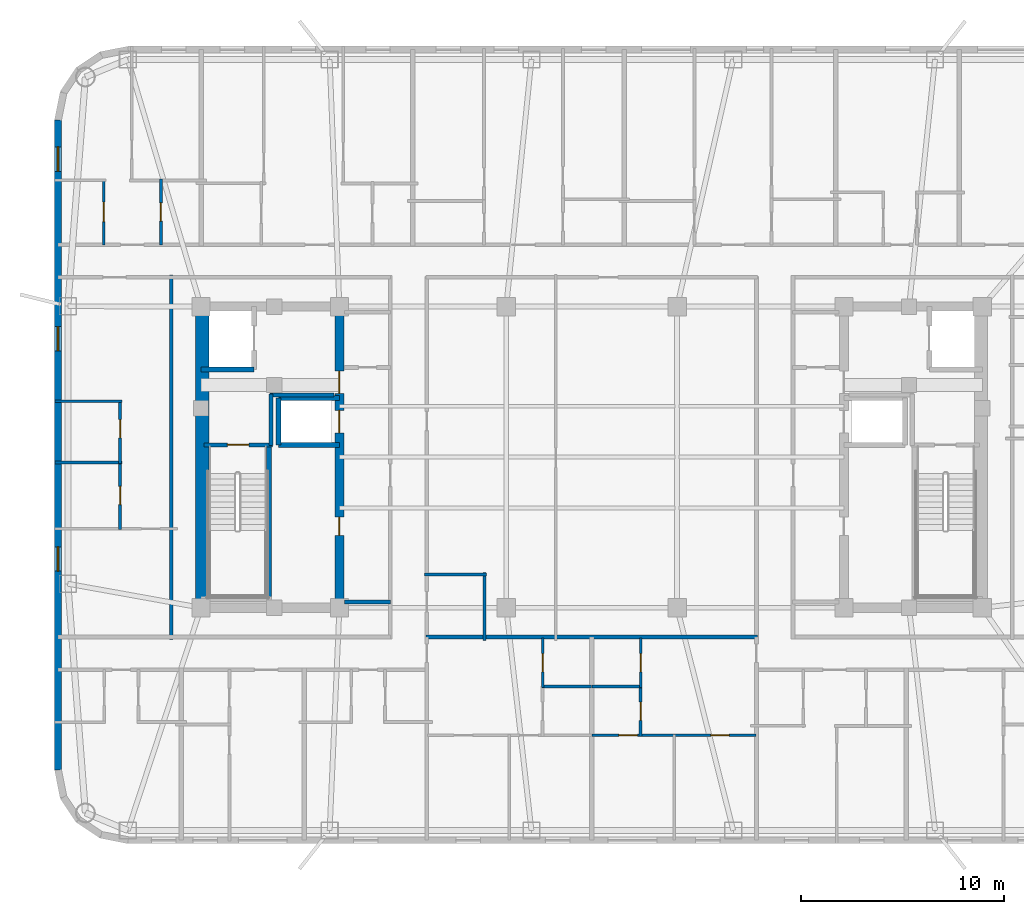
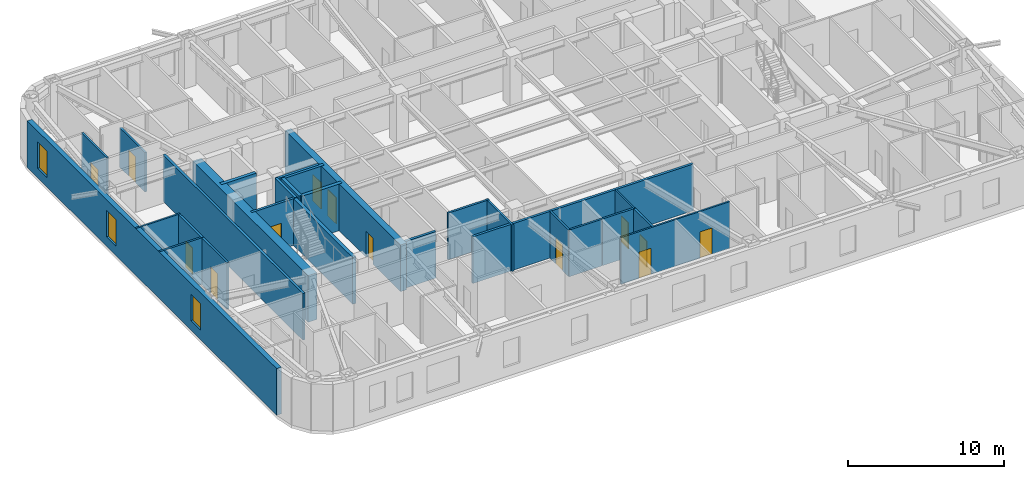
# One storey, part 4 of 11: 28 walls, 13 doors, 3 windows, 16 openings.
"""IFC4 building model written with IfcOpenShell, lengths in metres."""

from ifc_helpers import new_model, si_unit, direction, frame, frame_2d, origin, place, context, subcontext, project, spatial, rectangle, extrude, material, layer, layer_set, type_object, element, fill, save


model = new_model("IFC4")

# Units and contexts
model_context = context("Model", 3, precision=1e-05, world=origin(), true_north=direction((0.0, 1.0)))
body_context = subcontext(model_context, "Body", "Model", "MODEL_VIEW")
ifc_project = project(units=[si_unit("LENGTHUNIT", "METRE"), si_unit("AREAUNIT", "SQUARE_METRE"), si_unit("VOLUMEUNIT", "CUBIC_METRE"), si_unit("PLANEANGLEUNIT", "RADIAN"), si_unit("MASSUNIT", "GRAM", prefix="KILO")], contexts=[model_context])

# Site, building, storey
site_placement = place(None, origin())
site = spatial("IfcSite", under=ifc_project, at=site_placement, CompositionType="ELEMENT")
building_placement = place(site_placement, origin())
building = spatial("IfcBuilding", under=site, at=building_placement, Name="Voryun Gate Residences", CompositionType="ELEMENT")
storey_placement = place(building_placement, frame((0.0, 0.0, 227.5)))
storey = spatial("IfcBuildingStorey", under=building, at=storey_placement, Name="L56", CompositionType="ELEMENT", Elevation=227.5)

# Wall, openings, doors
ifc_material_1 = material(Name="Concrete C50/60", Category="concrete")
ifc_layer_1 = layer(ifc_material_1, 0.449951171875, Name="CW_CORE_450")
ifc_layer_set_1 = layer_set([ifc_layer_1], Name="Concrete C50/60")
wall_type_1 = type_object("IfcWallType", Name="CW_CORE_450", PredefinedType="SHEAR", material=ifc_layer_set_1)
wall_1_placement = place(storey_placement, frame((-12.39990234375, -7.39990234375, 0.0), z_axis=(0.0, 0.0, 1.0), x_axis=(0.0, 1.0, 0.0)))
wall_1 = element("IfcWall", 1, at=wall_1_placement, inside=storey, type_object=wall_type_1, Name="L56 Core shear wall CW-L56-WE", PredefinedType="SHEAR", context=body_context, shape_type="SweptSolid", body=[
    extrude(rectangle(XDim=14.7998046875, YDim=0.449951171875, at=frame_2d((7.39990234375, 0.0))), origin(), (0.0, 0.0, 1.0), 3.64990234375),
])
opening_1_placement = place(wall_1_placement, frame((8.60009765625, 0.0, 0.0)))
opening_1 = element("IfcOpeningElement", 2, at=opening_1_placement, cuts=wall_1, Name="Opening LD2", PredefinedType="OPENING", context=body_context, shape_type="SweptSolid", body=[
    extrude(rectangle(XDim=1.10009765625, YDim=2.050048828125, at=frame_2d((0.550048828125, 1.02490234375))), frame((0.0, 0.235107421875, 0.0), z_axis=(0.0, -1.0, 0.0), x_axis=(1.0, 0.0, 0.0)), (0.0, 0.0, 1.0), 0.469970703125),
])
opening_2_placement = place(wall_1_placement, frame((10.530029296875, 0.0, 0.0)))
opening_2 = element("IfcOpeningElement", 3, at=opening_2_placement, cuts=wall_1, Name="Opening D-FD60-2", PredefinedType="OPENING", context=body_context, shape_type="SweptSolid", body=[
    extrude(rectangle(XDim=1.10009765625, YDim=2.050048828125, at=frame_2d((0.550048828125, 1.02490234375))), frame((0.0, 0.235107421875, 0.0), z_axis=(0.0, -1.0, 0.0), x_axis=(1.0, 0.0, 0.0)), (0.0, 0.0, 1.0), 0.469970703125),
])
opening_3_placement = place(wall_1_placement, frame((3.550048828125, 0.0, 0.0)))
opening_3 = element("IfcOpeningElement", 4, at=opening_3_placement, cuts=wall_1, Name="Opening D-FD60-4", PredefinedType="OPENING", context=body_context, shape_type="SweptSolid", body=[
    extrude(rectangle(XDim=0.89990234375, YDim=2.050048828125, at=frame_2d((0.449951171875, 1.02490234375))), frame((0.0, 0.235107421875, 0.0), z_axis=(0.0, -1.0, 0.0), x_axis=(1.0, 0.0, 0.0)), (0.0, 0.0, 1.0), 0.469970703125),
])
ifc_material_2 = material(Name="Painted steel fire door", Category="steel")
door_type_1 = type_object("IfcDoorType", Name="DR_FD60_FFLOB_1100", OperationType="NOTDEFINED", PredefinedType="DOOR", material=ifc_material_2)
door_1_placement = place(opening_2_placement, origin())
door_1 = element("IfcDoor", 5, at=door_1_placement, inside=storey, type_object=door_type_1, Name="Door DR-L56-CLOB-W", OperationType="SINGLE_SWING_LEFT", OverallHeight=2.050048828125, OverallWidth=1.10009765625, PredefinedType="DOOR", context=body_context, shape_type="SweptSolid", body=[
    extrude(rectangle(XDim=1.10009765625, YDim=2.050048828125, at=frame_2d((0.550048828125, 1.02490234375))), frame((0.0, 0.02490234375, 0.0), z_axis=(0.0, -1.0, 0.0), x_axis=(1.0, 0.0, 0.0)), (0.0, 0.0, 1.0), 0.050048828125),
])
fill(opening_2, door_1)
ifc_material_3 = material(Name="Painted steel fire door", Category="steel")
door_type_2 = type_object("IfcDoorType", Name="DR_FD60_RISER_900", OperationType="NOTDEFINED", PredefinedType="DOOR", material=ifc_material_3)
door_2_placement = place(opening_3_placement, origin())
door_2 = element("IfcDoor", 6, at=door_2_placement, inside=storey, type_object=door_type_2, Name="Door DR-L56-RECW-HI", OperationType="SINGLE_SWING_LEFT", OverallHeight=2.050048828125, OverallWidth=0.89990234375, PredefinedType="DOOR", context=body_context, shape_type="SweptSolid", body=[
    extrude(rectangle(XDim=0.89990234375, YDim=2.050048828125, at=frame_2d((0.449951171875, 1.02490234375))), frame((0.0, 0.02490234375, 0.0), z_axis=(0.0, -1.0, 0.0), x_axis=(1.0, 0.0, 0.0)), (0.0, 0.0, 1.0), 0.050048828125),
])
fill(opening_3, door_2)
ifc_material_4 = material(Name="Anodised aluminium", Category="aluminium")
door_type_3 = type_object("IfcDoorType", Name="DR_LD_PASS_1100", OperationType="NOTDEFINED", PredefinedType="DOOR", material=ifc_material_4)
door_3_placement = place(opening_1_placement, origin())
door_3 = element("IfcDoor", 7, at=door_3_placement, inside=storey, type_object=door_type_3, Name="Lift EL-P7 sliding landing door L56", OperationType="SLIDING_TO_LEFT", OverallHeight=2.050048828125, OverallWidth=1.10009765625, PredefinedType="DOOR", context=body_context, shape_type="SweptSolid", body=[
    extrude(rectangle(XDim=1.10009765625, YDim=2.050048828125, at=frame_2d((0.550048828125, 1.02490234375))), frame((0.0, 0.02490234375, 0.0), z_axis=(0.0, -1.0, 0.0), x_axis=(1.0, 0.0, 0.0)), (0.0, 0.0, 1.0), 0.050048828125),
])
fill(opening_1, door_3)

# Wall
ifc_material_5 = material(Name="Concrete C60/75", Category="concrete")
ifc_layer_2 = layer(ifc_material_5, 0.64990234375, Name="CW_CORE_650")
ifc_layer_set_2 = layer_set([ifc_layer_2], Name="Concrete C60/75")
wall_type_2 = type_object("IfcWallType", Name="CW_CORE_650", PredefinedType="SHEAR", material=ifc_layer_set_2)
wall_2_placement = place(storey_placement, frame((-19.14501953125, -7.39990234375, 0.0), z_axis=(0.0, 0.0, 1.0), x_axis=(0.0, 1.0, 0.0)))
element("IfcWall", 8, at=wall_2_placement, inside=storey, type_object=wall_type_2, Name="L56 Core shear wall CW-L56-WW", PredefinedType="SHEAR", context=body_context, shape_type="SweptSolid", body=[
    extrude(rectangle(XDim=14.7998046875, YDim=0.64990234375, at=frame_2d((7.39990234375, 0.0))), origin(), (0.0, 0.0, 1.0), 3.64990234375),
])

# Wall, opening, door
ifc_material_6 = material(Name="Gypsum acoustic fireboard")
ifc_layer_3 = layer(ifc_material_6, 0.179931640625, Name="W_CORR_RATED_180")
ifc_layer_set_3 = layer_set([ifc_layer_3], Name="Gypsum acoustic fireboard")
wall_type_3 = type_object("IfcWallType", Name="W_CORR_RATED_180", PredefinedType="PARTITIONING", material=ifc_layer_set_3)
wall_3_placement = place(storey_placement, frame((-19.06005859375, 0.60009765625, 0.0), z_axis=(0.0, 0.0, 1.0), x_axis=(1.0, 0.0, 0.0)))
wall_3 = element("IfcWall", 9, at=wall_3_placement, inside=storey, type_object=wall_type_3, Name="Partition wall WP-L56-STV-W", PredefinedType="PARTITIONING", context=body_context, shape_type="SweptSolid", body=[
    extrude(rectangle(XDim=3.360107421875, YDim=0.179931640625, at=frame_2d((1.68017578125, 0.0))), origin(), (0.0, 0.0, 1.0), 3.64990234375),
])
opening_4_placement = place(wall_3_placement, frame((1.155029296875, 0.0, 0.0)))
opening_4 = element("IfcOpeningElement", 10, at=opening_4_placement, cuts=wall_3, Name="Opening D-FD60-1", PredefinedType="OPENING", context=body_context, shape_type="SweptSolid", body=[
    extrude(rectangle(XDim=1.050048828125, YDim=2.050048828125, at=frame_2d((0.52490234375, 1.02490234375))), frame((0.0, 0.099853515625, 0.0), z_axis=(0.0, -1.0, 0.0), x_axis=(1.0, 0.0, 0.0)), (0.0, 0.0, 1.0), 0.199951171875),
])
ifc_material_7 = material(Name="Painted steel fire door", Category="steel")
door_type_4 = type_object("IfcDoorType", Name="DR_FD60_STAIR_1050", OperationType="NOTDEFINED", PredefinedType="DOOR", material=ifc_material_7)
door_4_placement = place(opening_4_placement, origin())
door_4 = element("IfcDoor", 11, at=door_4_placement, inside=storey, type_object=door_type_4, Name="Door DR-L56-ST-W", OperationType="SINGLE_SWING_LEFT", OverallHeight=2.050048828125, OverallWidth=1.050048828125, PredefinedType="DOOR", context=body_context, shape_type="SweptSolid", body=[
    extrude(rectangle(XDim=1.050048828125, YDim=2.050048828125, at=frame_2d((0.52490234375, 1.02490234375))), frame((0.0, 0.02490234375, 0.0), z_axis=(0.0, -1.0, 0.0), x_axis=(1.0, 0.0, 0.0)), (0.0, 0.0, 1.0), 0.050048828125),
])
fill(opening_4, door_4)

# Walls
wall_4_placement = place(storey_placement, frame((-12.14990234375, -7.1201171875, 0.0), z_axis=(0.0, 0.0, 1.0), x_axis=(1.0, 0.0, 0.0)))
element("IfcWall", 12, at=wall_4_placement, inside=storey, type_object=wall_type_3, Name="Partition wall WP-L56-PLBS-W", PredefinedType="PARTITIONING", context=body_context, shape_type="SweptSolid", body=[
    extrude(rectangle(XDim=2.27001953125, YDim=0.179931640625, at=frame_2d((1.135009765625, 0.0))), origin(), (0.0, 0.0, 1.0), 3.64990234375),
])
wall_5_placement = place(storey_placement, frame((-8.14990234375, -8.840087890625, 0.0), z_axis=(0.0, 0.0, 1.0), x_axis=(1.0, 0.0, 0.0)))
element("IfcWall", 13, at=wall_5_placement, inside=storey, type_object=wall_type_3, Name="Partition wall WP-L56-Z3S", PredefinedType="PARTITIONING", context=body_context, shape_type="SweptSolid", body=[
    extrude(rectangle(XDim=16.2998046875, YDim=0.179931640625, at=frame_2d((8.14990234375, 0.0))), origin(), (0.0, 0.0, 1.0), 3.64990234375),
])
wall_6_placement = place(storey_placement, frame((-20.669921875, -8.9599609375, 0.0), z_axis=(0.0, 0.0, 1.0), x_axis=(0.0, 1.0, 0.0)))
element("IfcWall", 14, at=wall_6_placement, inside=storey, type_object=wall_type_3, Name="Partition wall WP-L56-WCOR", PredefinedType="PARTITIONING", context=body_context, shape_type="SweptSolid", body=[
    extrude(rectangle(XDim=17.919921875, YDim=0.179931640625, at=frame_2d((8.9599609375, 0.0))), origin(), (0.0, 0.0, 1.0), 3.64990234375),
])

# Wall, openings, windows
ifc_material_8 = material(Name="Charcoal terracotta masonry", Category="masonry")
ifc_layer_4 = layer(ifc_material_8, 0.340087890625, Name="W_EXT_TERRACOTTA_340")
ifc_layer_set_4 = layer_set([ifc_layer_4], Name="Charcoal terracotta masonry")
wall_type_4 = type_object("IfcWallType", Name="W_EXT_TERRACOTTA_340", PredefinedType="ELEMENTEDWALL", material=ifc_layer_set_4)
wall_7_placement = place(storey_placement, frame((-26.22998046875, -15.38330078125, 0.0), z_axis=(0.0, 0.0, 1.0), x_axis=(0.0, 1.0, 0.0)))
wall_7 = element("IfcWall", 15, at=wall_7_placement, inside=storey, type_object=wall_type_4, Name="Exterior wall WEXT-L56-06", PredefinedType="ELEMENTEDWALL", context=body_context, shape_type="SweptSolid", body=[
    extrude(rectangle(XDim=31.966552734375, YDim=0.340087890625, at=frame_2d((15.9833984375, 0.0))), origin(), (0.0, 0.0, 1.0), 3.64990234375),
])
opening_5_placement = place(wall_7_placement, frame((29.431396484375, 0.0, 0.75)))
opening_5 = element("IfcOpeningElement", 16, at=opening_5_placement, cuts=wall_7, Name="Opening WN6", PredefinedType="OPENING", context=body_context, shape_type="SweptSolid", body=[
    extrude(rectangle(XDim=1.199951171875, YDim=2.050048828125, at=frame_2d((0.60009765625, 1.02490234375))), frame((0.0, 0.179931640625, 0.0), z_axis=(0.0, -1.0, 0.0), x_axis=(1.0, 0.0, 0.0)), (0.0, 0.0, 1.0), 0.360107421875),
])
opening_6_placement = place(wall_7_placement, frame((20.603271484375, 0.0, 0.75)))
opening_6 = element("IfcOpeningElement", 17, at=opening_6_placement, cuts=wall_7, Name="Opening WN6", PredefinedType="OPENING", context=body_context, shape_type="SweptSolid", body=[
    extrude(rectangle(XDim=1.199951171875, YDim=2.050048828125, at=frame_2d((0.60009765625, 1.02490234375))), frame((0.0, 0.179931640625, 0.0), z_axis=(0.0, -1.0, 0.0), x_axis=(1.0, 0.0, 0.0)), (0.0, 0.0, 1.0), 0.360107421875),
])
opening_7_placement = place(wall_7_placement, frame((9.7783203125, 0.0, 0.75)))
opening_7 = element("IfcOpeningElement", 18, at=opening_7_placement, cuts=wall_7, Name="Opening WN6", PredefinedType="OPENING", context=body_context, shape_type="SweptSolid", body=[
    extrude(rectangle(XDim=1.199951171875, YDim=2.050048828125, at=frame_2d((0.60009765625, 1.02490234375))), frame((0.0, 0.179931640625, 0.0), z_axis=(0.0, -1.0, 0.0), x_axis=(1.0, 0.0, 0.0)), (0.0, 0.0, 1.0), 0.360107421875),
])
ifc_material_9 = material(Name="Laminated low-E glass", Category="glass")
window_type = type_object("IfcWindowType", Name="WN_POD_SLOT_1200", PartitioningType="SINGLE_PANEL", PredefinedType="WINDOW", material=ifc_material_9)
window_1_placement = place(opening_5_placement, origin())
window_1 = element("IfcWindow", 19, at=window_1_placement, inside=storey, type_object=window_type, Name="Window WN-L56-DWFIX-01", OverallHeight=2.050048828125, OverallWidth=1.199951171875, PartitioningType="SINGLE_PANEL", PredefinedType="WINDOW", context=body_context, shape_type="SweptSolid", body=[
    extrude(rectangle(XDim=1.199951171875, YDim=2.050048828125, at=frame_2d((0.60009765625, 1.02490234375))), frame((0.0, 0.030029296875, 0.0), z_axis=(0.0, -1.0, 0.0), x_axis=(1.0, 0.0, 0.0)), (0.0, 0.0, 1.0), 0.06005859375),
])
fill(opening_5, window_1)
window_2_placement = place(opening_6_placement, origin())
window_2 = element("IfcWindow", 20, at=window_2_placement, inside=storey, type_object=window_type, Name="Window WN-L56-DWFIX-26", OverallHeight=2.050048828125, OverallWidth=1.199951171875, PartitioningType="SINGLE_PANEL", PredefinedType="WINDOW", context=body_context, shape_type="SweptSolid", body=[
    extrude(rectangle(XDim=1.199951171875, YDim=2.050048828125, at=frame_2d((0.60009765625, 1.02490234375))), frame((0.0, 0.030029296875, 0.0), z_axis=(0.0, -1.0, 0.0), x_axis=(1.0, 0.0, 0.0)), (0.0, 0.0, 1.0), 0.06005859375),
])
fill(opening_6, window_2)
window_3_placement = place(opening_7_placement, origin())
window_3 = element("IfcWindow", 21, at=window_3_placement, inside=storey, type_object=window_type, Name="Window WN-L56-DWFIX-27", OverallHeight=2.050048828125, OverallWidth=1.199951171875, PartitioningType="SINGLE_PANEL", PredefinedType="WINDOW", context=body_context, shape_type="SweptSolid", body=[
    extrude(rectangle(XDim=1.199951171875, YDim=2.050048828125, at=frame_2d((0.60009765625, 1.02490234375))), frame((0.0, 0.030029296875, 0.0), z_axis=(0.0, -1.0, 0.0), x_axis=(1.0, 0.0, 0.0)), (0.0, 0.0, 1.0), 0.06005859375),
])
fill(opening_7, window_3)

# Walls
ifc_material_10 = material(Name="Concrete C40/50", Category="concrete")
ifc_layer_5 = layer(ifc_material_10, 0.199951171875, Name="W_FF_LOBBY_200")
ifc_layer_set_5 = layer_set([ifc_layer_5], Name="Concrete C40/50")
wall_type_5 = type_object("IfcWallType", Name="W_FF_LOBBY_200", PredefinedType="PARTITIONING", material=ifc_layer_set_5)
wall_8_placement = place(storey_placement, frame((-15.760009765625, 0.580078125, 0.0), z_axis=(0.0, 0.0, 1.0), x_axis=(0.0, 1.0, 0.0)))
element("IfcWall", 22, at=wall_8_placement, inside=storey, type_object=wall_type_5, Name="Partition wall WP-L56-FFP0-W", PredefinedType="PARTITIONING", context=body_context, shape_type="SweptSolid", body=[
    extrude(rectangle(XDim=2.52001953125, YDim=0.199951171875, at=frame_2d((1.260009765625, 0.0))), origin(), (0.0, 0.0, 1.0), 3.64990234375),
])
wall_9_placement = place(storey_placement, frame((-15.820068359375, 3.06005859375, 0.0), z_axis=(0.0, 0.0, 1.0), x_axis=(1.0, 0.0, 0.0)))
element("IfcWall", 23, at=wall_9_placement, inside=storey, type_object=wall_type_5, Name="Partition wall WP-L56-FFPS-W", PredefinedType="PARTITIONING", context=body_context, shape_type="SweptSolid", body=[
    extrude(rectangle(XDim=3.16015625, YDim=0.199951171875, at=frame_2d((1.580078125, 0.0))), origin(), (0.0, 0.0, 1.0), 3.64990234375),
])
ifc_material_11 = material(Name="Concrete C50/60", Category="concrete")
ifc_layer_6 = layer(ifc_material_11, 0.25, Name="W_SHAFT_RC250")
ifc_layer_set_6 = layer_set([ifc_layer_6], Name="Concrete C50/60")
wall_type_6 = type_object("IfcWallType", Name="W_SHAFT_RC250", PredefinedType="SOLIDWALL", material=ifc_layer_set_6)
wall_10_placement = place(storey_placement, frame((-15.860107421875, -7.0849609375, 0.0), z_axis=(0.0, 0.0, 1.0), x_axis=(0.0, 1.0, 0.0)))
element("IfcWall", 24, at=wall_10_placement, inside=storey, type_object=wall_type_6, Name="L56 Stair shaft structural wall W-STR", PredefinedType="SOLIDWALL", context=body_context, shape_type="SweptSolid", body=[
    extrude(rectangle(XDim=7.68505859375, YDim=0.25, at=frame_2d((3.842529296875, 0.0))), origin(), (0.0, 0.0, 1.0), 3.64990234375),
])
wall_11_placement = place(storey_placement, frame((-19.199951171875, 4.300048828125, 0.0), z_axis=(0.0, 0.0, 1.0), x_axis=(1.0, 0.0, 0.0)))
element("IfcWall", 25, at=wall_11_placement, inside=storey, type_object=wall_type_6, Name="Lift shaft wall WSH-L56-EL-FF-W1-S", PredefinedType="SOLIDWALL", context=body_context, shape_type="SweptSolid", body=[
    extrude(rectangle(XDim=2.599853515625, YDim=0.25, at=frame_2d((1.2998046875, 0.0))), origin(), (0.0, 0.0, 1.0), 3.64990234375),
])
for number, where, z_axis, x_axis, name in (
    (26, (-15.39990234375, 0.60009765625, 0.0), (0.0, 0.0, 1.0), (1.0, 0.0, 0.0), "Lift shaft wall WSH-L56-EL-P7-S"),
    (27, (-12.39990234375, 2.89990234375, 0.0), (0.0, 0.0, 1.0), (-1.0, 0.0, 0.0), "Lift shaft wall WSH-L56-EL-P7-N"),
):
    element("IfcWall", number, at=place(storey_placement, frame(where, z_axis=z_axis, x_axis=x_axis)), inside=storey, type_object=wall_type_6, Name=name, PredefinedType="SOLIDWALL", context=body_context, shape_type="SweptSolid", body=[
        extrude(rectangle(XDim=3.0, YDim=0.25, at=frame_2d((1.5, 0.0))), origin(), (0.0, 0.0, 1.0), 3.64990234375),
    ])
wall_12_placement = place(storey_placement, frame((-15.39990234375, 2.89990234375, 0.0), z_axis=(0.0, 0.0, 1.0), x_axis=(0.0, -1.0, 0.0)))
element("IfcWall", 28, at=wall_12_placement, inside=storey, type_object=wall_type_6, Name="Lift shaft wall WSH-L56-EL-P7-W", PredefinedType="SOLIDWALL", context=body_context, shape_type="SweptSolid", body=[
    extrude(rectangle(XDim=2.2998046875, YDim=0.25, at=frame_2d((1.14990234375, 0.0))), origin(), (0.0, 0.0, 1.0), 3.64990234375),
])

# Wall, opening, door
ifc_material_12 = material(Name="Gypsum acoustic partition")
ifc_layer_7 = layer(ifc_material_12, 0.125, Name="W_UNIT_PART_125")
ifc_layer_set_7 = layer_set([ifc_layer_7], Name="Gypsum acoustic partition")
wall_type_7 = type_object("IfcWallType", Name="W_UNIT_PART_125", PredefinedType="PARTITIONING", material=ifc_layer_set_7)
wall_13_placement = place(storey_placement, frame((-23.987060546875, 10.429931640625, 0.0), z_axis=(0.0, 0.0, 1.0), x_axis=(0.0, 1.0, 0.0)))
wall_13 = element("IfcWall", 29, at=wall_13_placement, inside=storey, type_object=wall_type_7, Name="Partition wall WP-L56-N1-IVK", PredefinedType="PARTITIONING", context=body_context, shape_type="SweptSolid", body=[
    extrude(rectangle(XDim=3.253173828125, YDim=0.125, at=frame_2d((1.62646484375, 0.0))), origin(), (0.0, 0.0, 1.0), 3.64990234375),
])
opening_8_placement = place(wall_13_placement, frame((1.151611328125, 0.0, 0.0)))
opening_8 = element("IfcOpeningElement", 30, at=opening_8_placement, cuts=wall_13, Name="Opening D-INT-1", PredefinedType="OPENING", context=body_context, shape_type="SweptSolid", body=[
    extrude(rectangle(XDim=0.949951171875, YDim=2.050048828125, at=frame_2d((0.47509765625, 1.02490234375))), frame((0.0, 0.072509765625, 0.0), z_axis=(0.0, -1.0, 0.0), x_axis=(1.0, 0.0, 0.0)), (0.0, 0.0, 1.0), 0.14501953125),
])
ifc_material_13 = material(Name="Architectural oak veneer")
door_type_5 = type_object("IfcDoorType", Name="DR_INT_ROOM_950", OperationType="NOTDEFINED", PredefinedType="DOOR", material=ifc_material_13)
door_5_placement = place(opening_8_placement, origin())
door_5 = element("IfcDoor", 31, at=door_5_placement, inside=storey, type_object=door_type_5, Name="Door DR-L56-N1-DK", OperationType="SINGLE_SWING_LEFT", OverallHeight=2.050048828125, OverallWidth=0.949951171875, PredefinedType="DOOR", context=body_context, shape_type="SweptSolid", body=[
    extrude(rectangle(XDim=0.949951171875, YDim=2.050048828125, at=frame_2d((0.47509765625, 1.02490234375))), frame((0.0, 0.02490234375, 0.0), z_axis=(0.0, -1.0, 0.0), x_axis=(1.0, 0.0, 0.0)), (0.0, 0.0, 1.0), 0.050048828125),
])
fill(opening_8, door_5)

wall_14_placement = place(storey_placement, frame((-2.409912109375, -11.31005859375, 0.0), z_axis=(0.0, 0.0, 1.0), x_axis=(0.0, 1.0, 0.0)))
wall_14 = element("IfcWall", 32, at=wall_14_placement, inside=storey, type_object=wall_type_7, Name="Partition wall WP-L56-SC1-VK1", PredefinedType="PARTITIONING", context=body_context, shape_type="SweptSolid", body=[
    extrude(rectangle(XDim=2.41015625, YDim=0.125, at=frame_2d((1.205078125, 0.0))), origin(), (0.0, 0.0, 1.0), 3.64990234375),
])
opening_9_placement = place(wall_14_placement, frame((0.7548828125, 0.0, 0.0)))
opening_9 = element("IfcOpeningElement", 33, at=opening_9_placement, cuts=wall_14, Name="Opening D-INT-2", PredefinedType="OPENING", context=body_context, shape_type="SweptSolid", body=[
    extrude(rectangle(XDim=0.89990234375, YDim=2.050048828125, at=frame_2d((0.449951171875, 1.02490234375))), frame((0.0, 0.072509765625, 0.0), z_axis=(0.0, -1.0, 0.0), x_axis=(1.0, 0.0, 0.0)), (0.0, 0.0, 1.0), 0.14501953125),
])
ifc_material_14 = material(Name="Architectural oak veneer")
door_type_6 = type_object("IfcDoorType", Name="DR_INT_BATH_900", OperationType="NOTDEFINED", PredefinedType="DOOR", material=ifc_material_14)
door_6_placement = place(opening_9_placement, origin())
door_6 = element("IfcDoor", 34, at=door_6_placement, inside=storey, type_object=door_type_6, Name="Door DR-L56-SC1-DK", OperationType="SINGLE_SWING_LEFT", OverallHeight=2.050048828125, OverallWidth=0.89990234375, PredefinedType="DOOR", context=body_context, shape_type="SweptSolid", body=[
    extrude(rectangle(XDim=0.89990234375, YDim=2.050048828125, at=frame_2d((0.449951171875, 1.02490234375))), frame((0.0, 0.02490234375, 0.0), z_axis=(0.0, -1.0, 0.0), x_axis=(1.0, 0.0, 0.0)), (0.0, 0.0, 1.0), 0.050048828125),
])
fill(opening_9, door_6)

# Wall, openings, doors
wall_15_placement = place(storey_placement, frame((0.02001953125, -13.679931640625, 0.0), z_axis=(0.0, 0.0, 1.0), x_axis=(1.0, 0.0, 0.0)))
wall_15 = element("IfcWall", 35, at=wall_15_placement, inside=storey, type_object=wall_type_7, Name="Partition wall WP-L56-SC2-HZ", PredefinedType="PARTITIONING", context=body_context, shape_type="SweptSolid", body=[
    extrude(rectangle(XDim=8.06005859375, YDim=0.125, at=frame_2d((4.030029296875, 0.0))), origin(), (0.0, 0.0, 1.0), 3.64990234375),
])
opening_10_placement = place(wall_15_placement, frame((1.3232421875, 0.0, 0.0)))
opening_10 = element("IfcOpeningElement", 36, at=opening_10_placement, cuts=wall_15, Name="Opening D-INT-2", PredefinedType="OPENING", context=body_context, shape_type="SweptSolid", body=[
    extrude(rectangle(XDim=0.89990234375, YDim=2.050048828125, at=frame_2d((0.449951171875, 1.02490234375))), frame((0.0, 0.072509765625, 0.0), z_axis=(0.0, -1.0, 0.0), x_axis=(1.0, 0.0, 0.0)), (0.0, 0.0, 1.0), 0.14501953125),
])
opening_11_placement = place(wall_15_placement, frame((5.8369140625, 0.0, 0.0)))
opening_11 = element("IfcOpeningElement", 37, at=opening_11_placement, cuts=wall_15, Name="Opening D-INT-2", PredefinedType="OPENING", context=body_context, shape_type="SweptSolid", body=[
    extrude(rectangle(XDim=0.89990234375, YDim=2.050048828125, at=frame_2d((0.449951171875, 1.02490234375))), frame((0.0, 0.072509765625, 0.0), z_axis=(0.0, -1.0, 0.0), x_axis=(1.0, 0.0, 0.0)), (0.0, 0.0, 1.0), 0.14501953125),
])
door_7_placement = place(opening_10_placement, origin())
door_7 = element("IfcDoor", 38, at=door_7_placement, inside=storey, type_object=door_type_6, Name="Door DR-L56-SC2-DMB", OperationType="SINGLE_SWING_LEFT", OverallHeight=2.050048828125, OverallWidth=0.89990234375, PredefinedType="DOOR", context=body_context, shape_type="SweptSolid", body=[
    extrude(rectangle(XDim=0.89990234375, YDim=2.050048828125, at=frame_2d((0.449951171875, 1.02490234375))), frame((0.0, 0.02490234375, 0.0), z_axis=(0.0, -1.0, 0.0), x_axis=(1.0, 0.0, 0.0)), (0.0, 0.0, 1.0), 0.050048828125),
])
fill(opening_10, door_7)
door_8_placement = place(opening_11_placement, origin())
door_8 = element("IfcDoor", 39, at=door_8_placement, inside=storey, type_object=door_type_6, Name="Door DR-L56-SC2-DBD2", OperationType="SINGLE_SWING_RIGHT", OverallHeight=2.050048828125, OverallWidth=0.89990234375, PredefinedType="DOOR", context=body_context, shape_type="SweptSolid", body=[
    extrude(rectangle(XDim=0.89990234375, YDim=2.050048828125, at=frame_2d((0.449951171875, 1.02490234375))), frame((0.0, 0.02490234375, 0.0), z_axis=(0.0, -1.0, 0.0), x_axis=(1.0, 0.0, 0.0)), (0.0, 0.0, 1.0), 0.050048828125),
])
fill(opening_11, door_8)

# Wall, opening, door
wall_16_placement = place(storey_placement, frame((2.409912109375, -11.31005859375, 0.0), z_axis=(0.0, 0.0, 1.0), x_axis=(0.0, 1.0, 0.0)))
wall_16 = element("IfcWall", 40, at=wall_16_placement, inside=storey, type_object=wall_type_7, Name="Partition wall WP-L56-SC2-VK1", PredefinedType="PARTITIONING", context=body_context, shape_type="SweptSolid", body=[
    extrude(rectangle(XDim=2.41015625, YDim=0.125, at=frame_2d((1.205078125, 0.0))), origin(), (0.0, 0.0, 1.0), 3.64990234375),
])
opening_12_placement = place(wall_16_placement, frame((0.7548828125, 0.0, 0.0)))
opening_12 = element("IfcOpeningElement", 41, at=opening_12_placement, cuts=wall_16, Name="Opening D-INT-2", PredefinedType="OPENING", context=body_context, shape_type="SweptSolid", body=[
    extrude(rectangle(XDim=0.89990234375, YDim=2.050048828125, at=frame_2d((0.449951171875, 1.02490234375))), frame((0.0, 0.072509765625, 0.0), z_axis=(0.0, -1.0, 0.0), x_axis=(1.0, 0.0, 0.0)), (0.0, 0.0, 1.0), 0.14501953125),
])
door_9_placement = place(opening_12_placement, origin())
door_9 = element("IfcDoor", 42, at=door_9_placement, inside=storey, type_object=door_type_6, Name="Door DR-L56-SC2-DK", OperationType="SINGLE_SWING_LEFT", OverallHeight=2.050048828125, OverallWidth=0.89990234375, PredefinedType="DOOR", context=body_context, shape_type="SweptSolid", body=[
    extrude(rectangle(XDim=0.89990234375, YDim=2.050048828125, at=frame_2d((0.449951171875, 1.02490234375))), frame((0.0, 0.02490234375, 0.0), z_axis=(0.0, -1.0, 0.0), x_axis=(1.0, 0.0, 0.0)), (0.0, 0.0, 1.0), 0.050048828125),
])
fill(opening_12, door_9)

# Walls
wall_17_placement = place(storey_placement, frame((-26.3798828125, 2.739990234375, 0.0), z_axis=(0.0, 0.0, 1.0), x_axis=(1.0, 0.0, 0.0)))
element("IfcWall", 43, at=wall_17_placement, inside=storey, type_object=wall_type_7, Name="Partition wall WP-L56-W1-HZ1", PredefinedType="PARTITIONING", context=body_context, shape_type="SweptSolid", body=[
    extrude(rectangle(XDim=3.284912109375, YDim=0.125, at=frame_2d((1.642578125, 0.0))), origin(), (0.0, 0.0, 1.0), 3.64990234375),
])
ifc_material_15 = material(Name="Gypsum moisture-resistant partition")
ifc_layer_8 = layer(ifc_material_15, 0.14990234375, Name="W_WET_PLUMB_150")
ifc_layer_set_8 = layer_set([ifc_layer_8], Name="Gypsum moisture-resistant partition")
wall_type_8 = type_object("IfcWallType", Name="W_WET_PLUMB_150", PredefinedType="PLUMBINGWALL", material=ifc_layer_set_8)
wall_18_placement = place(storey_placement, frame((-5.260009765625, -9.02001953125, 0.0), z_axis=(0.0, 0.0, 1.0), x_axis=(0.0, 1.0, 0.0)))
element("IfcWall", 44, at=wall_18_placement, inside=storey, type_object=wall_type_8, Name="Partition wall WP-L56-CMWCX", PredefinedType="PLUMBINGWALL", context=body_context, shape_type="SweptSolid", body=[
    extrude(rectangle(XDim=3.35009765625, YDim=0.14990234375, at=frame_2d((1.675048828125, 0.0))), origin(), (0.0, 0.0, 1.0), 3.64990234375),
])
wall_19_placement = place(storey_placement, frame((-8.2099609375, -5.77001953125, 0.0), z_axis=(0.0, 0.0, 1.0), x_axis=(1.0, 0.0, 0.0)))
element("IfcWall", 45, at=wall_19_placement, inside=storey, type_object=wall_type_8, Name="Partition wall WP-L56-CMWCY", PredefinedType="PLUMBINGWALL", context=body_context, shape_type="SweptSolid", body=[
    extrude(rectangle(XDim=3.050048828125, YDim=0.14990234375, at=frame_2d((1.52490234375, 0.0))), origin(), (0.0, 0.0, 1.0), 3.64990234375),
])

# Wall, opening, door
wall_20_placement = place(storey_placement, frame((-21.179931640625, 10.429931640625, 0.0), z_axis=(0.0, 0.0, 1.0), x_axis=(0.0, 1.0, 0.0)))
wall_20 = element("IfcWall", 46, at=wall_20_placement, inside=storey, type_object=wall_type_8, Name="Partition wall WP-L56-N1-IVB", PredefinedType="PLUMBINGWALL", context=body_context, shape_type="SweptSolid", body=[
    extrude(rectangle(XDim=3.253173828125, YDim=0.14990234375, at=frame_2d((1.62646484375, 0.0))), origin(), (0.0, 0.0, 1.0), 3.090087890625),
])
opening_13_placement = place(wall_20_placement, frame((1.176513671875, 0.0, 0.0)))
opening_13 = element("IfcOpeningElement", 47, at=opening_13_placement, cuts=wall_20, Name="Opening D-INT-2", PredefinedType="OPENING", context=body_context, shape_type="SweptSolid", body=[
    extrude(rectangle(XDim=0.89990234375, YDim=2.050048828125, at=frame_2d((0.449951171875, 1.02490234375))), frame((0.0, 0.0849609375, 0.0), z_axis=(0.0, -1.0, 0.0), x_axis=(1.0, 0.0, 0.0)), (0.0, 0.0, 1.0), 0.169921875),
])
door_10_placement = place(opening_13_placement, origin())
door_10 = element("IfcDoor", 48, at=door_10_placement, inside=storey, type_object=door_type_6, Name="Door DR-L56-N1-DB", OperationType="SINGLE_SWING_RIGHT", OverallHeight=2.050048828125, OverallWidth=0.89990234375, PredefinedType="DOOR", context=body_context, shape_type="SweptSolid", body=[
    extrude(rectangle(XDim=0.89990234375, YDim=2.050048828125, at=frame_2d((0.449951171875, 1.02490234375))), frame((0.0, 0.02490234375, 0.0), z_axis=(0.0, -1.0, 0.0), x_axis=(1.0, 0.0, 0.0)), (0.0, 0.0, 1.0), 0.050048828125),
])
fill(opening_13, door_10)

# Wall
wall_21_placement = place(storey_placement, frame((-2.449951171875, -11.280029296875, 0.0), z_axis=(0.0, 0.0, 1.0), x_axis=(1.0, 0.0, 0.0)))
element("IfcWall", 49, at=wall_21_placement, inside=storey, type_object=wall_type_8, Name="Partition wall WP-L56-SC1-HKB", PredefinedType="PLUMBINGWALL", context=body_context, shape_type="SweptSolid", body=[
    extrude(rectangle(XDim=2.429931640625, YDim=0.14990234375, at=frame_2d((1.21484375, 0.0))), origin(), (0.0, 0.0, 1.0), 3.64990234375),
])

# Wall, opening, door
wall_22_placement = place(storey_placement, frame((2.409912109375, -13.719970703125, 0.0), z_axis=(0.0, 0.0, 1.0), x_axis=(0.0, 1.0, 0.0)))
wall_22 = element("IfcWall", 50, at=wall_22_placement, inside=storey, type_object=wall_type_8, Name="Partition wall WP-L56-SC2-VK2", PredefinedType="PLUMBINGWALL", context=body_context, shape_type="SweptSolid", body=[
    extrude(rectangle(XDim=2.469970703125, YDim=0.14990234375, at=frame_2d((1.23486328125, 0.0))), origin(), (0.0, 0.0, 1.0), 3.64990234375),
])
opening_14_placement = place(wall_22_placement, frame((0.784912109375, 0.0, 0.0)))
opening_14 = element("IfcOpeningElement", 51, at=opening_14_placement, cuts=wall_22, Name="Opening D-INT-2", PredefinedType="OPENING", context=body_context, shape_type="SweptSolid", body=[
    extrude(rectangle(XDim=0.89990234375, YDim=2.050048828125, at=frame_2d((0.449951171875, 1.02490234375))), frame((0.0, 0.0849609375, 0.0), z_axis=(0.0, -1.0, 0.0), x_axis=(1.0, 0.0, 0.0)), (0.0, 0.0, 1.0), 0.169921875),
])
door_11_placement = place(opening_14_placement, origin())
door_11 = element("IfcDoor", 52, at=door_11_placement, inside=storey, type_object=door_type_6, Name="Door DR-L56-SC2-DB", OperationType="SINGLE_SWING_RIGHT", OverallHeight=2.050048828125, OverallWidth=0.89990234375, PredefinedType="DOOR", context=body_context, shape_type="SweptSolid", body=[
    extrude(rectangle(XDim=0.89990234375, YDim=2.050048828125, at=frame_2d((0.449951171875, 1.02490234375))), frame((0.0, 0.02490234375, 0.0), z_axis=(0.0, -1.0, 0.0), x_axis=(1.0, 0.0, 0.0)), (0.0, 0.0, 1.0), 0.050048828125),
])
fill(opening_14, door_11)

# Walls
wall_23_placement = place(storey_placement, frame((0.02001953125, -11.280029296875, 0.0), z_axis=(0.0, 0.0, 1.0), x_axis=(1.0, 0.0, 0.0)))
element("IfcWall", 53, at=wall_23_placement, inside=storey, type_object=wall_type_8, Name="Partition wall WP-L56-SC2-HKB", PredefinedType="PLUMBINGWALL", context=body_context, shape_type="SweptSolid", body=[
    extrude(rectangle(XDim=2.429931640625, YDim=0.14990234375, at=frame_2d((1.21484375, 0.0))), origin(), (0.0, 0.0, 1.0), 3.64990234375),
])
wall_24_placement = place(storey_placement, frame((-26.3798828125, -0.260009765625, 0.0), z_axis=(0.0, 0.0, 1.0), x_axis=(1.0, 0.0, 0.0)))
element("IfcWall", 54, at=wall_24_placement, inside=storey, type_object=wall_type_8, Name="Partition wall WP-L56-W1-HZ2", PredefinedType="PLUMBINGWALL", context=body_context, shape_type="SweptSolid", body=[
    extrude(rectangle(XDim=3.284912109375, YDim=0.14990234375, at=frame_2d((1.642578125, 0.0))), origin(), (0.0, 0.0, 1.0), 3.64990234375),
])

# Wall, opening, door
wall_25_placement = place(storey_placement, frame((-23.175048828125, -3.550048828125, 0.0), z_axis=(0.0, 0.0, 1.0), x_axis=(0.0, 1.0, 0.0)))
wall_25 = element("IfcWall", 55, at=wall_25_placement, inside=storey, type_object=wall_type_8, Name="Partition wall WP-L56-W1-VKB1", PredefinedType="PLUMBINGWALL", context=body_context, shape_type="SweptSolid", body=[
    extrude(rectangle(XDim=3.330078125, YDim=0.14990234375, at=frame_2d((1.6650390625, 0.0))), origin(), (0.0, 0.0, 1.0), 3.64990234375),
])
opening_15_placement = place(wall_25_placement, frame((1.215087890625, 0.0, 0.0)))
opening_15 = element("IfcOpeningElement", 56, at=opening_15_placement, cuts=wall_25, Name="Opening D-INT-2", PredefinedType="OPENING", context=body_context, shape_type="SweptSolid", body=[
    extrude(rectangle(XDim=0.89990234375, YDim=2.050048828125, at=frame_2d((0.449951171875, 1.02490234375))), frame((0.0, 0.0849609375, 0.0), z_axis=(0.0, -1.0, 0.0), x_axis=(1.0, 0.0, 0.0)), (0.0, 0.0, 1.0), 0.169921875),
])
door_12_placement = place(opening_15_placement, origin())
door_12 = element("IfcDoor", 57, at=door_12_placement, inside=storey, type_object=door_type_6, Name="Door DR-L56-W1-DB", OperationType="SINGLE_SWING_LEFT", OverallHeight=2.050048828125, OverallWidth=0.89990234375, PredefinedType="DOOR", context=body_context, shape_type="SweptSolid", body=[
    extrude(rectangle(XDim=0.89990234375, YDim=2.050048828125, at=frame_2d((0.449951171875, 1.02490234375))), frame((0.0, 0.02490234375, 0.0), z_axis=(0.0, -1.0, 0.0), x_axis=(1.0, 0.0, 0.0)), (0.0, 0.0, 1.0), 0.050048828125),
])
fill(opening_15, door_12)

wall_26_placement = place(storey_placement, frame((-23.175048828125, -0.300048828125, 0.0), z_axis=(0.0, 0.0, 1.0), x_axis=(0.0, 1.0, 0.0)))
wall_26 = element("IfcWall", 58, at=wall_26_placement, inside=storey, type_object=wall_type_8, Name="Partition wall WP-L56-W1-VKB2", PredefinedType="PLUMBINGWALL", context=body_context, shape_type="SweptSolid", body=[
    extrude(rectangle(XDim=3.080078125, YDim=0.14990234375, at=frame_2d((1.5400390625, 0.0))), origin(), (0.0, 0.0, 1.0), 3.64990234375),
])
opening_16_placement = place(wall_26_placement, frame((1.243896484375, 0.0, 0.0)))
opening_16 = element("IfcOpeningElement", 59, at=opening_16_placement, cuts=wall_26, Name="Opening D-INT-2", PredefinedType="OPENING", context=body_context, shape_type="SweptSolid", body=[
    extrude(rectangle(XDim=0.89990234375, YDim=2.050048828125, at=frame_2d((0.449951171875, 1.02490234375))), frame((0.0, 0.0849609375, 0.0), z_axis=(0.0, -1.0, 0.0), x_axis=(1.0, 0.0, 0.0)), (0.0, 0.0, 1.0), 0.169921875),
])
door_13_placement = place(opening_16_placement, origin())
door_13 = element("IfcDoor", 60, at=door_13_placement, inside=storey, type_object=door_type_6, Name="Door DR-L56-W1-DK", OperationType="SINGLE_SWING_RIGHT", OverallHeight=2.050048828125, OverallWidth=0.89990234375, PredefinedType="DOOR", context=body_context, shape_type="SweptSolid", body=[
    extrude(rectangle(XDim=0.89990234375, YDim=2.050048828125, at=frame_2d((0.449951171875, 1.02490234375))), frame((0.0, 0.02490234375, 0.0), z_axis=(0.0, -1.0, 0.0), x_axis=(1.0, 0.0, 0.0)), (0.0, 0.0, 1.0), 0.050048828125),
])
fill(opening_16, door_13)

save(model, "model.ifc")
